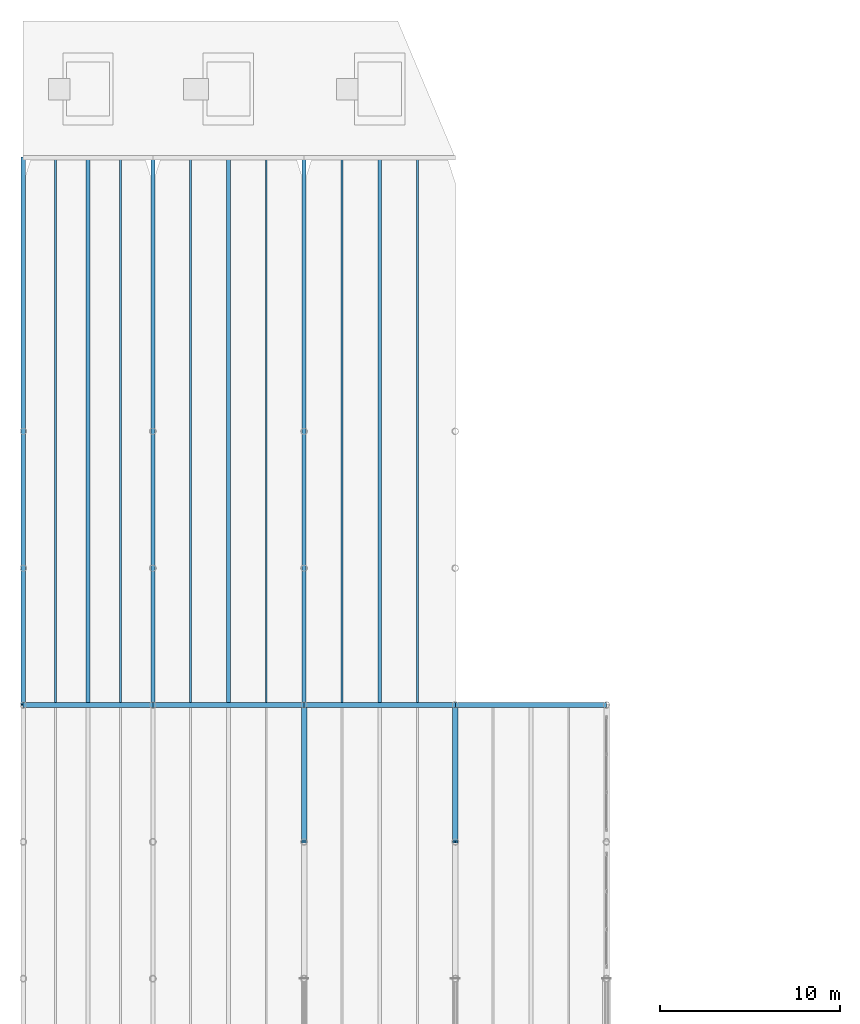
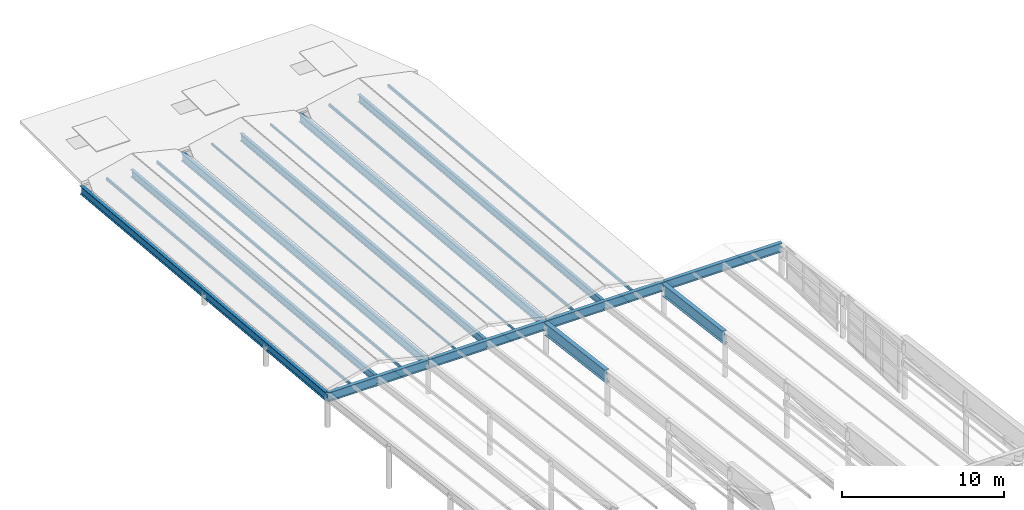
# One storey, part 8 of 14: 12 beams, 6 members.
"""IFC4 building model written with IfcOpenShell, lengths in metres."""

from ifc_helpers import new_model, si_unit, direction, frame, origin, origin_2d, place, context, subcontext, project, spatial, hollow_rectangle, i_section, extrude, material, material_profile, profile_set, type_object, element, save


model = new_model("IFC4")

# Units and contexts
model_context = context("Model", 3, precision=1e-05, world=origin(), true_north=direction((0.0, 1.0)))
body_context = subcontext(model_context, "Body", "Model", "MODEL_VIEW")
ifc_project = project(units=[si_unit("LENGTHUNIT", "METRE"), si_unit("AREAUNIT", "SQUARE_METRE"), si_unit("VOLUMEUNIT", "CUBIC_METRE"), si_unit("PLANEANGLEUNIT", "RADIAN"), si_unit("MASSUNIT", "GRAM", prefix="KILO")], contexts=[model_context])

# Site, building, storey
site_placement = place(None, origin())
site = spatial("IfcSite", under=ifc_project, at=site_placement, CompositionType="ELEMENT")
building_placement = place(site_placement, origin())
building = spatial("IfcBuilding", under=site, at=building_placement, Name="Xicomal Pleat Aquarium", CompositionType="ELEMENT")
storey_placement = place(building_placement, frame((0.0, 0.0, 24.0)))
storey = spatial("IfcBuildingStorey", under=building, at=storey_placement, Name="RF", CompositionType="ELEMENT", Elevation=24.0)

# Beams
ifc_material_1 = material(Name="Structural steel A992 Gr 50", Category="steel")
ifc_material_profile_1 = material_profile(ifc_material_1, i_section(OverallWidth=0.2119140625, OverallDepth=0.5439453125, WebThickness=0.01318359375, FlangeThickness=0.021240234375, at=origin_2d()), Name="IR 530x123")
ifc_profile_set_1 = profile_set([ifc_material_profile_1], Name="Structural steel A992 Gr 50")
beam_type_1 = type_object("IfcBeamType", Name="BM-STL-IR530", PredefinedType="BEAM", material=ifc_profile_set_1)
for number, where, z_axis, x_axis, name in (
    (1, (6.60009765625, 38.0, 2.219970703125), (0.0, 0.995784935776, -0.091718927612), (-1.0, 0.0, 0.0), "Pleated roof ridge girder T2-B1"),
    (2, (14.39990234375, 38.0, 2.219970703125), (0.0, 0.995784935776, -0.091718927612), (-1.0, 0.0, 0.0), "Pleated roof ridge girder T2-B2"),
    (3, (22.800048828125, 38.0, 2.219970703125), (0.0, 0.995784935776, -0.091718927612), (-1.0, 0.0, 0.0), "Pleated roof ridge girder T2-B3"),
):
    element("IfcBeam", number, at=place(storey_placement, frame(where, z_axis=z_axis, x_axis=x_axis)), inside=storey, type_object=beam_type_1, Name=name, PredefinedType="BEAM", context=body_context, shape_type="SweptSolid", body=[
        extrude(i_section(OverallWidth=0.2119140625, OverallDepth=0.5439453125, WebThickness=0.01318359375, FlangeThickness=0.021240234375, at=origin_2d()), origin(), (0.0, 0.0, 1.0), 30.528564453125),
    ])
ifc_material_2 = material(Name="Structural steel A992 Gr 50", Category="steel")
ifc_material_profile_2 = material_profile(ifc_material_2, i_section(OverallWidth=0.22998046875, OverallDepth=0.616943359375, WebThickness=0.01318359375, FlangeThickness=0.022216796875, at=origin_2d()), Name="IR 610x140")
ifc_profile_set_2 = profile_set([ifc_material_profile_2], Name="Structural steel A992 Gr 50")
beam_type_2 = type_object("IfcBeamType", Name="BM-STL-IR610", PredefinedType="BEAM", material=ifc_profile_set_2)
for number, where, z_axis, x_axis, name in (
    (4, (3.0, 38.0, 2.219970703125), (0.0, 0.995784935776, -0.091718927612), (-1.0, 0.0, 0.0), "Pleated roof valley girder T2-B1"),
    (5, (10.199951171875, 38.0, 2.219970703125), (0.0, 0.995784935776, -0.091718927612), (-1.0, 0.0, 0.0), "Pleated roof valley girder T2-B2"),
    (6, (18.60009765625, 38.0, 2.219970703125), (0.0, 0.995784935776, -0.091718927612), (-1.0, 0.0, 0.0), "Pleated roof valley girder T2-B3"),
):
    element("IfcBeam", number, at=place(storey_placement, frame(where, z_axis=z_axis, x_axis=x_axis)), inside=storey, type_object=beam_type_2, Name=name, PredefinedType="BEAM", context=body_context, shape_type="SweptSolid", body=[
        extrude(i_section(OverallWidth=0.22998046875, OverallDepth=0.616943359375, WebThickness=0.01318359375, FlangeThickness=0.022216796875, at=origin_2d()), origin(), (0.0, 0.0, 1.0), 30.528564453125),
    ])
ifc_material_3 = material(Name="Structural steel A992 Gr 50", Category="steel")
ifc_material_profile_3 = material_profile(ifc_material_3, i_section(OverallWidth=0.256103515625, OverallDepth=0.693115234375, WebThickness=0.014404296875, FlangeThickness=0.023681640625, at=origin_2d()), Name="IR 690x170")
ifc_profile_set_3 = profile_set([ifc_material_profile_3], Name="Structural steel A992 Gr 50")
beam_type_3 = type_object("IfcBeamType", Name="BM-STL-IR690", PredefinedType="BEAM", material=ifc_profile_set_3)
beam_1_placement = place(storey_placement, frame((3.0, 38.0, 2.219970703125), z_axis=(1.0, 0.0, 0.0), x_axis=(0.0, 1.0, 0.0)))
element("IfcBeam", 7, at=beam_1_placement, inside=storey, type_object=beam_type_3, Name="RF T1 ring girder N 01-02", PredefinedType="BEAM", context=body_context, shape_type="SweptSolid", body=[
    extrude(i_section(OverallWidth=0.256103515625, OverallDepth=0.693115234375, WebThickness=0.014404296875, FlangeThickness=0.023681640625, at=origin_2d()), origin(), (0.0, 0.0, 1.0), 7.199951171875),
])
beam_2_placement = place(storey_placement, frame((10.199951171875, 38.0, 2.219970703125), z_axis=(1.0, 0.0, 0.0), x_axis=(0.0, 1.0, 0.0)))
element("IfcBeam", 8, at=beam_2_placement, inside=storey, type_object=beam_type_3, Name="RF T1 ring girder N 02-03", PredefinedType="BEAM", context=body_context, shape_type="SweptSolid", body=[
    extrude(i_section(OverallWidth=0.256103515625, OverallDepth=0.693115234375, WebThickness=0.014404296875, FlangeThickness=0.023681640625, at=origin_2d()), origin(), (0.0, 0.0, 1.0), 8.400146484375),
])
for number, where, z_axis, x_axis, name in (
    (9, (18.60009765625, 38.0, 2.219970703125), (1.0, 0.0, 0.0), (0.0, 1.0, 0.0), "RF T1 ring girder N 03-04"),
    (10, (27.0, 38.0, 2.219970703125), (1.0, 0.0, 0.0), (0.0, 1.0, 0.0), "RF T1 ring girder N 04-05"),
):
    element("IfcBeam", number, at=place(storey_placement, frame(where, z_axis=z_axis, x_axis=x_axis)), inside=storey, type_object=beam_type_3, Name=name, PredefinedType="BEAM", context=body_context, shape_type="SweptSolid", body=[
        extrude(i_section(OverallWidth=0.256103515625, OverallDepth=0.693115234375, WebThickness=0.014404296875, FlangeThickness=0.023681640625, at=origin_2d()), origin(), (0.0, 0.0, 1.0), 8.39990234375),
    ])
ifc_material_4 = material(Name="Structural steel A992 Gr 50", Category="steel")
ifc_material_profile_4 = material_profile(ifc_material_4, i_section(OverallWidth=0.306884765625, OverallDepth=0.923095703125, WebThickness=0.018310546875, FlangeThickness=0.030029296875, at=origin_2d()), Name="IR 920x271")
ifc_profile_set_4 = profile_set([ifc_material_profile_4], Name="Structural steel A992 Gr 50")
beam_type_4 = type_object("IfcBeamType", Name="BM-STL-IR920", PredefinedType="BEAM", material=ifc_profile_set_4)
for number, where, z_axis, x_axis, name in (
    (11, (18.60009765625, 30.39990234375, 2.904052734375), (0.0, 0.992212029696, -0.124560379443), (-1.0, 0.0, 0.0), "RF pleated canopy girder 03-BCK2"),
    (12, (27.0, 30.39990234375, 2.904052734375), (0.0, 0.992212029696, -0.124560379443), (-1.0, 0.0, 0.0), "RF pleated canopy girder 04-BCK2"),
):
    element("IfcBeam", number, at=place(storey_placement, frame(where, z_axis=z_axis, x_axis=x_axis)), inside=storey, type_object=beam_type_4, Name=name, PredefinedType="BEAM", context=body_context, shape_type="SweptSolid", body=[
        extrude(i_section(OverallWidth=0.306884765625, OverallDepth=0.923095703125, WebThickness=0.018310546875, FlangeThickness=0.030029296875, at=origin_2d()), origin(), (0.0, 0.0, 1.0), 7.65966796875),
    ])

# Members
ifc_material_5 = material(Name="Structural steel A500 Gr C", Category="steel")
ifc_material_profile_5 = material_profile(ifc_material_5, hollow_rectangle(XDim=0.10009765625, YDim=0.14990234375, WallThickness=0.008056640625, at=origin_2d()), Name="OR 150x100x8")
ifc_profile_set_5 = profile_set([ifc_material_profile_5], Name="Structural steel A500 Gr C")
member_type_1 = type_object("IfcMemberType", Name="MEM-PR-OR150", PredefinedType="PURLIN", material=ifc_profile_set_5)
for number, where, z_axis, x_axis, name in (
    (13, (12.300048828125, 38.0, 2.39990234375), (0.0, 0.99578566614, -0.091710997762), (-1.0, 0.0, 0.0), "Pleated roof purlin T2-B2W"),
    (14, (16.5, 38.0, 2.39990234375), (0.0, 0.99578566614, -0.091710997762), (-1.0, 0.0, 0.0), "Pleated roof purlin T2-B2E"),
):
    element("IfcMember", number, at=place(storey_placement, frame(where, z_axis=z_axis, x_axis=x_axis)), inside=storey, type_object=member_type_1, Name=name, PredefinedType="PURLIN", context=body_context, shape_type="SweptSolid", body=[
        extrude(hollow_rectangle(XDim=0.10009765625, YDim=0.14990234375, WallThickness=0.008056640625, at=origin_2d()), origin(), (0.0, 0.0, 1.0), 30.528564453125),
    ])
ifc_material_6 = material(Name="Structural steel A500 Gr C", Category="steel")
ifc_material_profile_6 = material_profile(ifc_material_6, hollow_rectangle(XDim=0.1201171875, YDim=0.199951171875, WallThickness=0.010009765625, at=origin_2d()), Name="OR 200x120x10")
ifc_profile_set_6 = profile_set([ifc_material_profile_6], Name="Structural steel A500 Gr C")
member_type_2 = type_object("IfcMemberType", Name="MEM-PR-OR200", PredefinedType="PURLIN", material=ifc_profile_set_6)
for number, where, z_axis, x_axis, name in (
    (15, (4.800048828125, 38.0, 2.39990234375), (0.0, 0.99578566614, -0.091710997762), (-1.0, 0.0, 0.0), "Pleated roof purlin T2-B1W"),
    (16, (8.39990234375, 38.0, 2.39990234375), (0.0, 0.99578566614, -0.091710997762), (-1.0, 0.0, 0.0), "Pleated roof purlin T2-B1E"),
    (17, (20.699951171875, 38.0, 2.39990234375), (0.0, 0.99578566614, -0.091710997762), (-1.0, 0.0, 0.0), "Pleated roof purlin T2-B3W"),
    (18, (24.89990234375, 38.0, 2.39990234375), (0.0, 0.99578566614, -0.091710997762), (-1.0, 0.0, 0.0), "Pleated roof purlin T2-B3E"),
):
    element("IfcMember", number, at=place(storey_placement, frame(where, z_axis=z_axis, x_axis=x_axis)), inside=storey, type_object=member_type_2, Name=name, PredefinedType="PURLIN", context=body_context, shape_type="SweptSolid", body=[
        extrude(hollow_rectangle(XDim=0.1201171875, YDim=0.199951171875, WallThickness=0.010009765625, at=origin_2d()), origin(), (0.0, 0.0, 1.0), 30.528564453125),
    ])

save(model, "model.ifc")
